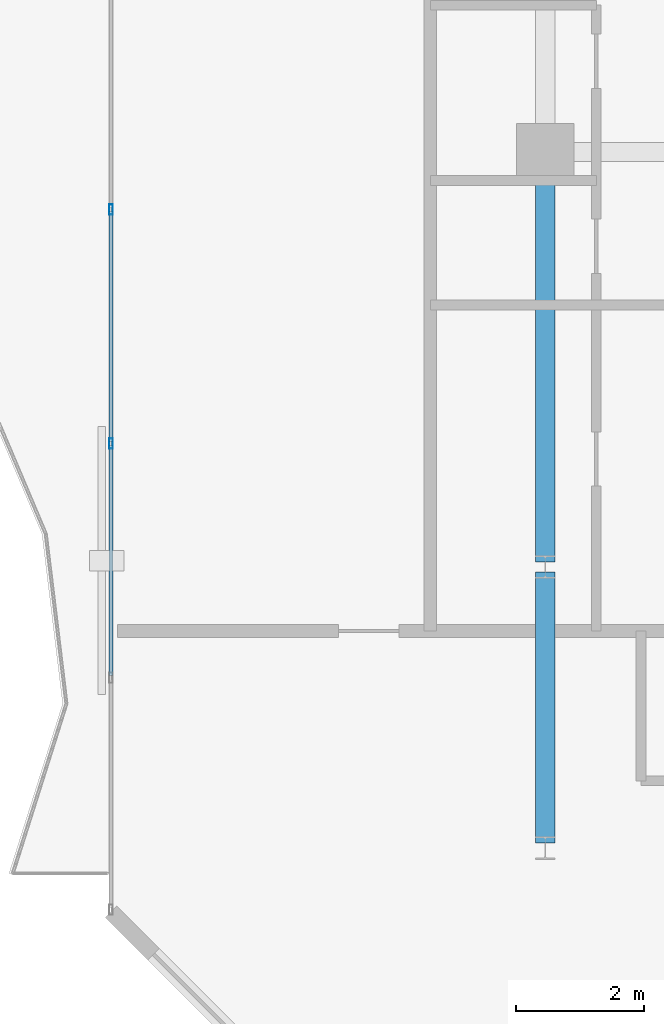
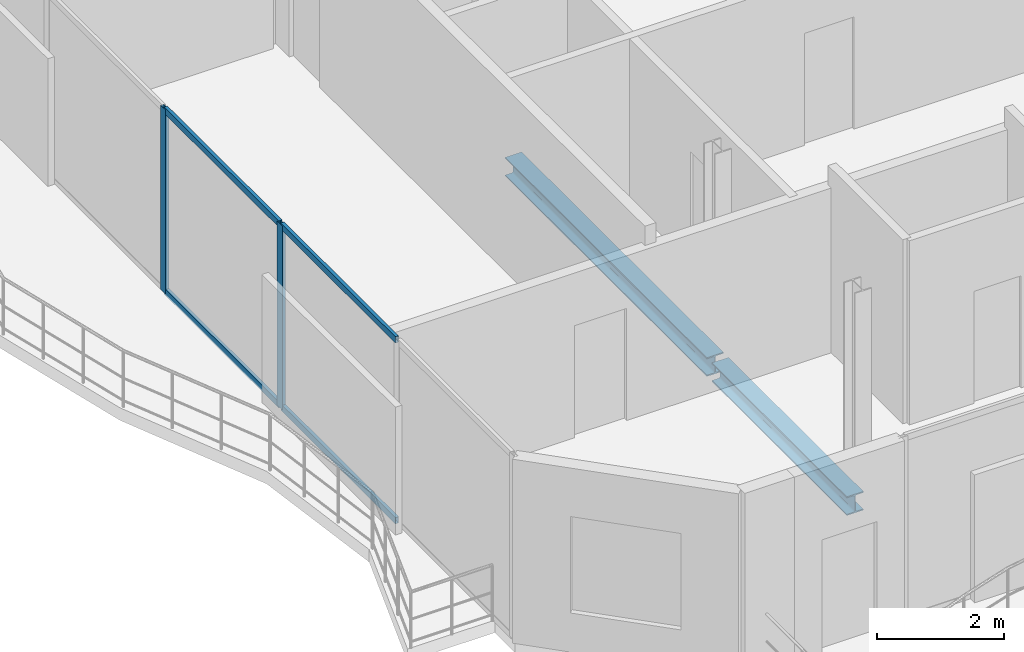
# One storey, part 3 of 17: 6 members, 2 beams, 1 element without a shape of its own.
"""IFC4 building model written with IfcOpenShell, lengths in metres."""

import ifcopenshell
import ifcopenshell.guid

model = None  # the IFC model being written
_history = None  # IfcOwnerHistory: only IFC2X3 demands one
_inside = {}  # id of a spatial element -> (the spatial element, [elements in it])
_under = {}  # id of a project, library or spatial element -> (it, [spatial elements below it])
_declared = {}  # id of a project -> (the project, [libraries it declares])
_typed = {}  # id of a type object -> (the type object, [elements of that type])
_made_of = {}  # id of a material, layer set ... -> (it, [elements and type objects made of it])


def new_model(schema):
    """Start an empty IFC model of exactly this schema.

    Asked for "IFC4X3", IfcOpenShell would pick the latest addendum, in which some entities
    have other attributes; the version numbers below select the first issue.
    IFC2X3 requires an IfcOwnerHistory on every rooted entity: one is made here for all.
    """
    global model, _history
    if schema == "IFC4X3":
        model = ifcopenshell.file(schema_version=(4, 3, 0, 0))
    else:
        model = ifcopenshell.file(schema=schema)
    _inside.clear()
    _under.clear()
    _declared.clear()
    _typed.clear()
    _made_of.clear()
    _history = None
    if model.schema == "IFC2X3":
        org = make("IfcOrganization", Name="unknown")
        user = make(
            "IfcPersonAndOrganization",
            ThePerson=make("IfcPerson", FamilyName="unknown"),
            TheOrganization=org,
        )
        app = make(
            "IfcApplication",
            ApplicationDeveloper=org,
            Version="unknown",
            ApplicationFullName="unknown",
            ApplicationIdentifier="unknown",
        )
        _history = make(
            "IfcOwnerHistory",
            OwningUser=user,
            OwningApplication=app,
            ChangeAction="ADDED",
            CreationDate=0,
        )
    return model


def make(cls, **values):
    """One entity of the class cls with the attributes given. An attribute that is None is left unset."""
    return model.create_entity(
        cls, **{name: value for name, value in values.items() if value is not None}
    )


def rooted(cls, **values):
    """An entity with a GlobalId (a new one), such as an element, a storey or a relation."""
    return make(cls, GlobalId=ifcopenshell.guid.new(), OwnerHistory=_history, **values)


def si_unit(unit_type, name, prefix=None):
    """IfcSIUnit, for example si_unit("LENGTHUNIT", "METRE", prefix="MILLI")."""
    return make("IfcSIUnit", UnitType=unit_type, Prefix=prefix, Name=name)


def assignment(units):
    """IfcUnitAssignment: the units of a project."""
    return None if units is None else make("IfcUnitAssignment", Units=units)


def point(xyz):
    """IfcCartesianPoint."""
    return None if xyz is None else make("IfcCartesianPoint", Coordinates=xyz)


def direction(xyz):
    """IfcDirection."""
    return None if xyz is None else make("IfcDirection", DirectionRatios=xyz)


def frame(location, z_axis=None, x_axis=None):
    """IfcAxis2Placement3D, a coordinate frame: its origin and axes. An axis left out is left unset."""
    return make(
        "IfcAxis2Placement3D",
        Location=point(location),
        Axis=direction(z_axis),
        RefDirection=direction(x_axis),
    )


def frame_2d(location, x_axis=None):
    """IfcAxis2Placement2D, a coordinate frame in the plane: its origin and x axis."""
    return make(
        "IfcAxis2Placement2D", Location=point(location), RefDirection=direction(x_axis)
    )


def origin():
    """The frame at (0, 0, 0) with its axes left unset."""
    return frame((0.0, 0.0, 0.0))


def origin_2d():
    """The frame at (0, 0) in the plane with its x axis left unset."""
    return frame_2d((0.0, 0.0))


def place(relative_to, where):
    """IfcLocalPlacement: puts the frame where relative to a parent placement (None: the world)."""
    return make(
        "IfcLocalPlacement", PlacementRelTo=relative_to, RelativePlacement=where
    )


def context(
    kind, dimensions, precision=None, world=None, true_north=None, identifier=None
):
    """IfcGeometricRepresentationContext, for example the 3D "Model" context."""
    return make(
        "IfcGeometricRepresentationContext",
        ContextIdentifier=identifier,
        ContextType=kind,
        CoordinateSpaceDimension=dimensions,
        Precision=precision,
        WorldCoordinateSystem=world,
        TrueNorth=true_north,
    )


def subcontext(parent, identifier, kind, view, scale=None):
    """IfcGeometricRepresentationSubContext, for example "Body" below "Model"."""
    return make(
        "IfcGeometricRepresentationSubContext",
        ContextIdentifier=identifier,
        ContextType=kind,
        ParentContext=parent,
        TargetScale=scale,
        TargetView=view,
    )


def project(units=None, contexts=None):
    """IfcProject with its units and contexts."""
    return rooted(
        "IfcProject",
        Name="project",
        RepresentationContexts=contexts,
        UnitsInContext=assignment(units),
    )


def spatial(cls, under=None, at=None, **own):
    """A site, building, storey or space (cls), placed at a placement, below another one or the project."""
    s = rooted(cls, ObjectPlacement=at, **own)
    if under is not None:
        _under.setdefault(under.id(), (under, []))[1].append(s)
    return s


def profile(cls, at=None, kind="AREA", **sizes):
    """A parametric profile (cls). Its sizes go by their IFC names, for example OverallWidth=200.0."""
    return make(cls, ProfileType=kind, Position=at, **sizes)


def hollow_rectangle(**sizes):
    """IfcRectangleHollowProfileDef."""
    return profile("IfcRectangleHollowProfileDef", **sizes)


def i_section(**sizes):
    """IfcIShapeProfileDef."""
    return profile("IfcIShapeProfileDef", **sizes)


def extrude(swept, where, along, depth):
    """IfcExtrudedAreaSolid: the profile swept, set in the frame where, extruded along a direction by depth."""
    return make(
        "IfcExtrudedAreaSolid",
        SweptArea=swept,
        Position=where,
        ExtrudedDirection=direction(along),
        Depth=depth,
    )


def shape(context_of_items, identifier, shape_type, items):
    """IfcShapeRepresentation: the items that make up one representation, for example the "Body"."""
    return make(
        "IfcShapeRepresentation",
        ContextOfItems=context_of_items,
        RepresentationIdentifier=identifier,
        RepresentationType=shape_type,
        Items=items,
    )


def material(Name=None, Category=None):
    """IfcMaterial."""
    return make("IfcMaterial", Name=Name, Category=Category)


def layer(
    of_material, thickness, ventilated=None, Name=None, Category=None, Priority=None
):
    """IfcMaterialLayer: one layer of a wall or slab, of a material (None: an air gap)."""
    return make(
        "IfcMaterialLayer",
        Material=of_material,
        LayerThickness=thickness,
        IsVentilated=ventilated,
        Name=Name,
        Category=Category,
        Priority=Priority,
    )


def layer_set(layers, Name=None):
    """IfcMaterialLayerSet."""
    return make("IfcMaterialLayerSet", MaterialLayers=layers, LayerSetName=Name)


def material_profile(
    of_material, cross_section, Name=None, Category=None, Priority=None
):
    """IfcMaterialProfile: a cross section and its material."""
    return make(
        "IfcMaterialProfile",
        Name=Name,
        Material=of_material,
        Profile=cross_section,
        Priority=Priority,
        Category=Category,
    )


def profile_set(profiles, Name=None, composite=None):
    """IfcMaterialProfileSet."""
    return make(
        "IfcMaterialProfileSet",
        Name=Name,
        MaterialProfiles=profiles,
        CompositeProfile=composite,
    )


def made_of(thing, what):
    """Note that an element or type object is made of a material, layer set ...; save() writes the relation."""
    if what is not None:
        _made_of.setdefault(what.id(), (what, []))[1].append(thing)
    return thing


def type_object(cls, material=None, **own):
    """A type object (cls), such as IfcWallType, which elements share."""
    return made_of(rooted(cls, **own), material)


def element(
    cls,
    number,
    at=None,
    inside=None,
    cuts=None,
    type_object=None,
    material=None,
    context=None,
    identifier="Body",
    shape_type=None,
    held_by="IfcProductDefinitionShape",
    body=None,
    shapes=None,
    **own,
):
    """One element of the class cls, such as IfcWall. Its Tag is "e" and its number.

    at: its placement. inside: the storey or other place that contains it. cuts: it is an
    opening in that element (IfcRelVoidsElement). A single representation is given by context,
    identifier, shape_type and body (its items); several are given by shapes. held_by: the class
    of the entity that holds the representations. save() writes the other relations.
    """
    e = rooted(cls, Tag="e%d" % number, ObjectPlacement=at, **own)
    if body is not None:
        shapes = [shape(context, identifier, shape_type, body)]
    if shapes is not None:
        e.Representation = make(held_by, Representations=shapes)
    if inside is not None:
        _inside.setdefault(inside.id(), (inside, []))[1].append(e)
    if cuts is not None:
        rooted(
            "IfcRelVoidsElement", RelatingBuildingElement=cuts, RelatedOpeningElement=e
        )
    if type_object is not None:
        _typed.setdefault(type_object.id(), (type_object, []))[1].append(e)
    return made_of(e, material)


def aggregate(whole, parts):
    """IfcRelAggregates: a whole, such as a stair, and the parts it consists of."""
    return rooted("IfcRelAggregates", RelatingObject=whole, RelatedObjects=parts)


def save(model, path):
    """Write the relations noted so far, then the file.

    IfcRelAggregates (storeys below a building ...), IfcRelContainedInSpatialStructure (elements
    in a storey), IfcRelDefinesByType, IfcRelAssociatesMaterial and IfcRelDeclares: one each for
    every whole, place, type object, material and project.
    """
    for whole, parts in _under.values():
        aggregate(whole, parts)
    for where, things in _inside.values():
        rooted(
            "IfcRelContainedInSpatialStructure",
            RelatedElements=things,
            RelatingStructure=where,
        )
    for kind, things in _typed.values():
        rooted("IfcRelDefinesByType", RelatedObjects=things, RelatingType=kind)
    for what, things in _made_of.values():
        rooted("IfcRelAssociatesMaterial", RelatedObjects=things, RelatingMaterial=what)
    for by, libraries in _declared.values():
        rooted("IfcRelDeclares", RelatingContext=by, RelatedDefinitions=libraries)
    model.write(path)


model = new_model("IFC4")

# Units and contexts
model_context = context("Model", 3, precision=1e-05, world=origin(), true_north=direction((0.0, 1.0)))
body_context = subcontext(model_context, "Body", "Model", "MODEL_VIEW")
ifc_project = project(units=[si_unit("LENGTHUNIT", "METRE"), si_unit("AREAUNIT", "SQUARE_METRE"), si_unit("VOLUMEUNIT", "CUBIC_METRE"), si_unit("PLANEANGLEUNIT", "RADIAN"), si_unit("MASSUNIT", "GRAM", prefix="KILO")], contexts=[model_context])

# Site, building, storey
site_placement = place(None, origin())
site = spatial("IfcSite", under=ifc_project, at=site_placement, CompositionType="ELEMENT")
building_placement = place(site_placement, origin())
building = spatial("IfcBuilding", under=site, at=building_placement, Name="Catumbela Crestline Tower", CompositionType="ELEMENT")
storey_placement = place(building_placement, frame((0.0, 0.0, 279.2)))
storey = spatial("IfcBuildingStorey", under=building, at=storey_placement, Name="L72", CompositionType="ELEMENT", Elevation=279.2)

# Beams
ifc_material_1 = material(Name="Structural steel S355J2", Category="steel")
ifc_material_profile_1 = material_profile(ifc_material_1, i_section(OverallWidth=0.3, OverallDepth=0.36, WebThickness=0.0125, FlangeThickness=0.0225, FilletRadius=0.027, at=origin_2d()), Name="HEB 360")
ifc_profile_set_1 = profile_set([ifc_material_profile_1], Name="Structural steel S355J2")
beam_type = type_object("IfcBeamType", Name="BG-HEB360", PredefinedType="BEAM", material=ifc_profile_set_1)
beam_1_placement = place(storey_placement, frame((16.0, 13.68, -0.44), z_axis=(0.0, 1.0, 0.0), x_axis=(-1.0, 0.0, 0.0)))
element("IfcBeam", 1, at=beam_1_placement, inside=storey, type_object=beam_type, Name="L72 Beam BM-L72-WNS18", PredefinedType="BEAM", context=body_context, shape_type="SweptSolid", body=[
    extrude(i_section(OverallWidth=0.3, OverallDepth=0.36, WebThickness=0.0125, FlangeThickness=0.0225, FilletRadius=0.027, at=origin_2d()), origin(), (0.0, 0.0, 1.0), 4.24),
])
beam_2_placement = place(storey_placement, frame((16.0, 18.08, -0.44), z_axis=(0.0, 1.0, 0.0), x_axis=(-1.0, 0.0, 0.0)))
element("IfcBeam", 2, at=beam_2_placement, inside=storey, type_object=beam_type, Name="L72 Beam BM-L72-WNS19", PredefinedType="BEAM", context=body_context, shape_type="SweptSolid", body=[
    extrude(i_section(OverallWidth=0.3, OverallDepth=0.36, WebThickness=0.0125, FlangeThickness=0.0225, FilletRadius=0.027, at=origin_2d()), origin(), (0.0, 0.0, 1.0), 6.34),
])

# Curtain wall, members
ifc_material_2 = material(Name="Aluminium alloy AW-6060-T66", Category="aluminium")
ifc_layer = layer(ifc_material_2, 0.18, Name="Aluminium alloy AW-6060-T66")
ifc_layer_set = layer_set([ifc_layer], Name="Aluminium alloy AW-6060-T66")
curtain_wall_type = type_object("IfcCurtainWallType", Name="CWU-Z4", PredefinedType="USERDEFINED", material=ifc_layer_set)
curtain_wall_placement = place(storey_placement, origin())
curtain_wall = element("IfcCurtainWall", 3, at=curtain_wall_placement, inside=storey, type_object=curtain_wall_type, Name="L72 Unitised Curtain Wall CW-L72-E9S2", ObjectType="UNITISED", PredefinedType="USERDEFINED")
ifc_material_profile_2 = material_profile(ifc_material_2, hollow_rectangle(XDim=0.06, YDim=0.16, WallThickness=0.004, at=origin_2d()), Name="ALU 160x60x4")
ifc_profile_set_2 = profile_set([ifc_material_profile_2], Name="Aluminium alloy AW-6060-T66")
member_type_1 = type_object("IfcMemberType", Name="MUL-160X60", PredefinedType="MULLION", material=ifc_profile_set_2)
member_1_placement = place(storey_placement, frame((9.2, 23.6, 0.0), z_axis=(0.0, 0.0, 1.0), x_axis=(1.0, 0.0, 0.0)))
member_1 = element("IfcMember", 4, at=member_1_placement, type_object=member_type_1, Name="CWU-Z4 mullion 4", PredefinedType="MULLION", context=body_context, shape_type="SweptSolid", body=[
    extrude(hollow_rectangle(XDim=0.06, YDim=0.16, WallThickness=0.004, at=origin_2d()), origin(), (0.0, 0.0, 1.0), 3.53),
])
member_2_placement = place(storey_placement, frame((9.2, 19.9333, 0.0), z_axis=(0.0, 0.0, 1.0), x_axis=(1.0, 0.0, 0.0)))
member_2 = element("IfcMember", 5, at=member_2_placement, type_object=member_type_1, Name="CWU-Z4 mullion 5", PredefinedType="MULLION", context=body_context, shape_type="SweptSolid", body=[
    extrude(hollow_rectangle(XDim=0.06, YDim=0.16, WallThickness=0.004, at=origin_2d()), origin(), (0.0, 0.0, 1.0), 3.53),
])
ifc_material_profile_3 = material_profile(ifc_material_2, hollow_rectangle(XDim=0.06, YDim=0.12, WallThickness=0.0035, at=origin_2d()), Name="ALU 120x60x3.5")
ifc_profile_set_3 = profile_set([ifc_material_profile_3], Name="Aluminium alloy AW-6060-T66")
member_type_2 = type_object("IfcMemberType", Name="TRN-120X60", PredefinedType="USERDEFINED", material=ifc_profile_set_3)
member_3_placement = place(storey_placement, frame((9.2, 23.5675, 0.03), z_axis=(0.0, -1.0, 0.0), x_axis=(1.0, 0.0, 0.0)))
member_3 = element("IfcMember", 6, at=member_3_placement, type_object=member_type_2, Name="CWU-Z4 transom 4.1", ObjectType="TRANSOM", PredefinedType="USERDEFINED", context=body_context, shape_type="SweptSolid", body=[
    extrude(hollow_rectangle(XDim=0.06, YDim=0.12, WallThickness=0.0035, at=origin_2d()), origin(), (0.0, 0.0, 1.0), 3.6017),
])
member_4_placement = place(storey_placement, frame((9.2, 23.5675, 3.5), z_axis=(0.0, -1.0, 0.0), x_axis=(1.0, 0.0, 0.0)))
member_4 = element("IfcMember", 7, at=member_4_placement, type_object=member_type_2, Name="CWU-Z4 transom 4.2", ObjectType="TRANSOM", PredefinedType="USERDEFINED", context=body_context, shape_type="SweptSolid", body=[
    extrude(hollow_rectangle(XDim=0.06, YDim=0.12, WallThickness=0.0035, at=origin_2d()), origin(), (0.0, 0.0, 1.0), 3.6017),
])
member_5_placement = place(storey_placement, frame((9.2, 19.9008, 0.03), z_axis=(0.0, -1.0, 0.0), x_axis=(1.0, 0.0, 0.0)))
member_5 = element("IfcMember", 8, at=member_5_placement, type_object=member_type_2, Name="CWU-Z4 transom 5.1", ObjectType="TRANSOM", PredefinedType="USERDEFINED", context=body_context, shape_type="SweptSolid", body=[
    extrude(hollow_rectangle(XDim=0.06, YDim=0.12, WallThickness=0.0035, at=origin_2d()), origin(), (0.0, 0.0, 1.0), 3.6016),
])
member_6_placement = place(storey_placement, frame((9.2, 19.9008, 3.5), z_axis=(0.0, -1.0, 0.0), x_axis=(1.0, 0.0, 0.0)))
member_6 = element("IfcMember", 9, at=member_6_placement, type_object=member_type_2, Name="CWU-Z4 transom 5.2", ObjectType="TRANSOM", PredefinedType="USERDEFINED", context=body_context, shape_type="SweptSolid", body=[
    extrude(hollow_rectangle(XDim=0.06, YDim=0.12, WallThickness=0.0035, at=origin_2d()), origin(), (0.0, 0.0, 1.0), 3.6016),
])
aggregate(curtain_wall, [member_1, member_2, member_3, member_4, member_5, member_6])

save(model, "model.ifc")
